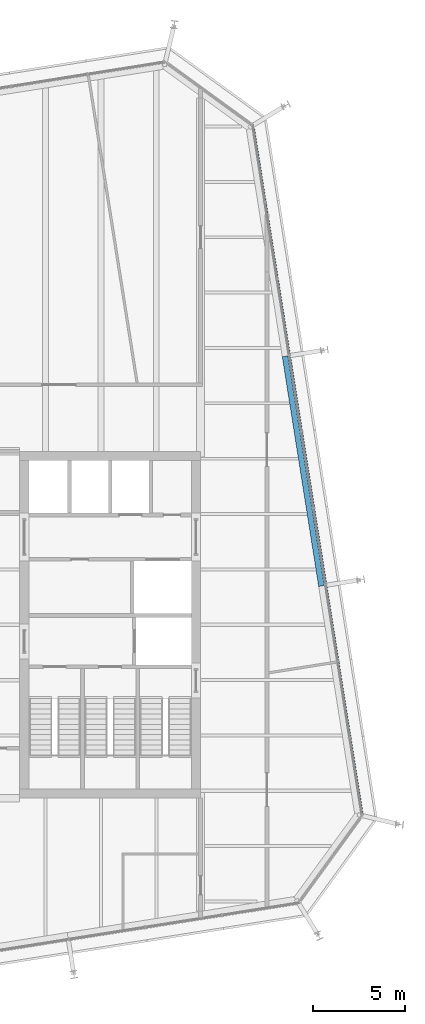
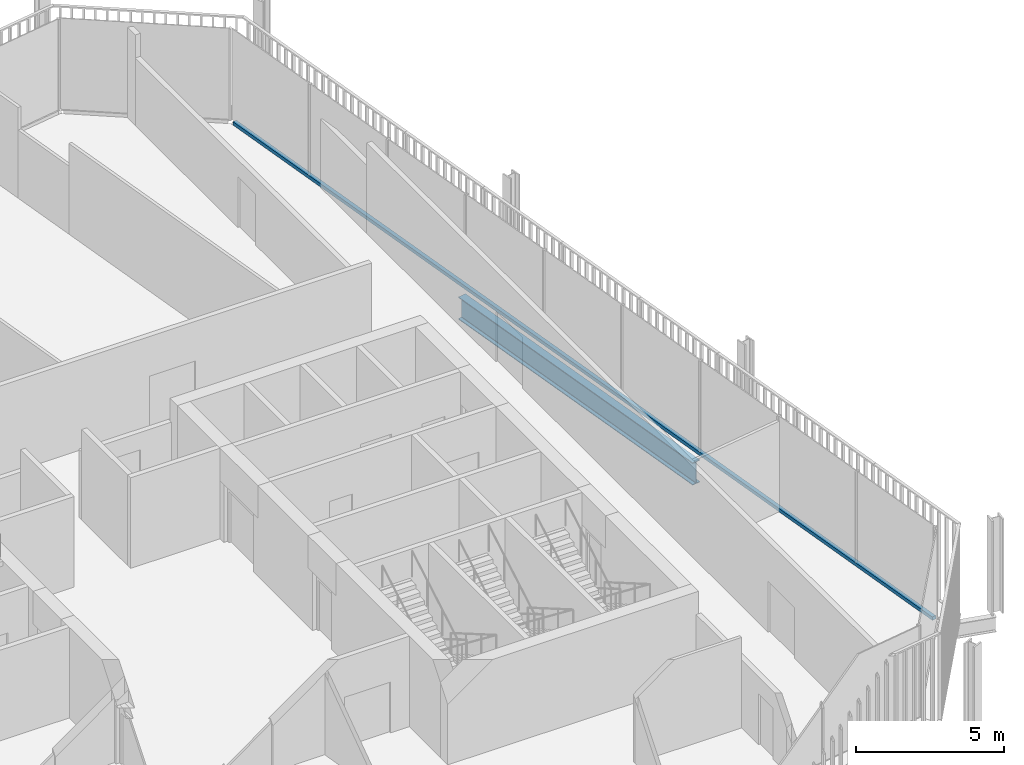
# One storey, part 9 of 20: 1 beam, 1 member, 1 element without a shape of its own.
"""IFC4 building model written with IfcOpenShell, lengths in metres."""

from ifc_helpers import new_model, si_unit, direction, frame, origin, origin_2d, place, context, subcontext, project, spatial, rectangle, i_section, extrude, material, layer, layer_set, material_profile, profile_set, type_object, element, aggregate, save


model = new_model("IFC4")

# Units and contexts
model_context = context("Model", 3, precision=1e-05, world=origin(), true_north=direction((0.0, 1.0)))
body_context = subcontext(model_context, "Body", "Model", "MODEL_VIEW")
ifc_project = project(units=[si_unit("LENGTHUNIT", "METRE"), si_unit("AREAUNIT", "SQUARE_METRE"), si_unit("VOLUMEUNIT", "CUBIC_METRE"), si_unit("PLANEANGLEUNIT", "RADIAN"), si_unit("MASSUNIT", "GRAM", prefix="KILO")], contexts=[model_context])

# Site, building, storey
site_placement = place(None, origin())
site = spatial("IfcSite", under=ifc_project, at=site_placement, CompositionType="ELEMENT")
building_placement = place(site_placement, origin())
building = spatial("IfcBuilding", under=site, at=building_placement, Name="Millrace Tower", CompositionType="ELEMENT")
storey_placement = place(building_placement, frame((0.0, 0.0, 224.199951171875)))
storey = spatial("IfcBuildingStorey", under=building, at=storey_placement, Name="L51", CompositionType="ELEMENT", Elevation=224.199951171875)

# Curtain wall, member
ifc_material_1 = material(Name="Aluminium and glass", Category="aluminium")
ifc_layer = layer(ifc_material_1, 0.14990234375)
ifc_layer_set = layer_set([ifc_layer], Name="Aluminium and glass")
curtain_wall_type = type_object("IfcCurtainWallType", Name="CW-1 office vision curtain wall", PredefinedType="NOTDEFINED", material=ifc_layer_set)
curtain_wall_placement = place(storey_placement, origin())
curtain_wall = element("IfcCurtainWall", 1, at=curtain_wall_placement, inside=storey, type_object=curtain_wall_type, Name="Curtain wall D-F04 L51", PredefinedType="NOTDEFINED")
ifc_material_2 = material(Name="Aluminium", Category="aluminium")
ifc_material_profile_1 = material_profile(ifc_material_2, rectangle(XDim=0.14990234375, YDim=0.139892578125, at=origin_2d()))
ifc_profile_set_1 = profile_set([ifc_material_profile_1], Name="Aluminium")
member_type = type_object("IfcMemberType", Name="CW-1 office vision curtain wall transom", PredefinedType="USERDEFINED", material=ifc_profile_set_1)
member_placement = place(storey_placement, frame((23.1318359375, -10.208740234375, 0.070068359375), z_axis=(-0.156432359726, 0.987688674042, 0.0), x_axis=(-0.987688674042, -0.156432359726, 0.0)))
member = element("IfcMember", 2, at=member_placement, type_object=member_type, Name="CW1 transom D-F04.1", ObjectType="TRANSOM", PredefinedType="USERDEFINED", context=body_context, shape_type="SweptSolid", body=[
    extrude(rectangle(XDim=0.14990234375, YDim=0.139892578125, at=origin_2d()), origin(), (0.0, 0.0, 1.0), 37.599853515625),
])
aggregate(curtain_wall, [member])

# Beam
ifc_material_3 = material(Name="Steel ASTM A992 Grade 50", Category="steel")
ifc_material_profile_2 = material_profile(ifc_material_3, i_section(OverallWidth=0.307373046875, OverallDepth=0.927001953125, WebThickness=0.01953125, FlangeThickness=0.031982421875, FilletRadius=0.01904296875, at=origin_2d()))
ifc_profile_set_2 = profile_set([ifc_material_profile_2], Name="Steel ASTM A992 Grade 50")
beam_type = type_object("IfcBeamType", Name="Ring beam medium span W36x194", PredefinedType="SPANDREL", material=ifc_profile_set_2)
beam_placement = place(storey_placement, frame((18.9794921875, 14.54638671875, -0.62353515625), z_axis=(0.1564441342, -0.987686809102, 0.0), x_axis=(0.987686809102, 0.1564441342, 0.0)))
element("IfcBeam", 3, at=beam_placement, inside=storey, type_object=beam_type, Name="RNG-D-L51-S1-10", PredefinedType="SPANDREL", context=body_context, shape_type="SweptSolid", body=[
    extrude(i_section(OverallWidth=0.307373046875, OverallDepth=0.927001953125, WebThickness=0.01953125, FlangeThickness=0.031982421875, FilletRadius=0.01904296875, at=origin_2d()), origin(), (0.0, 0.0, 1.0), 12.599853515625),
])

save(model, "model.ifc")
